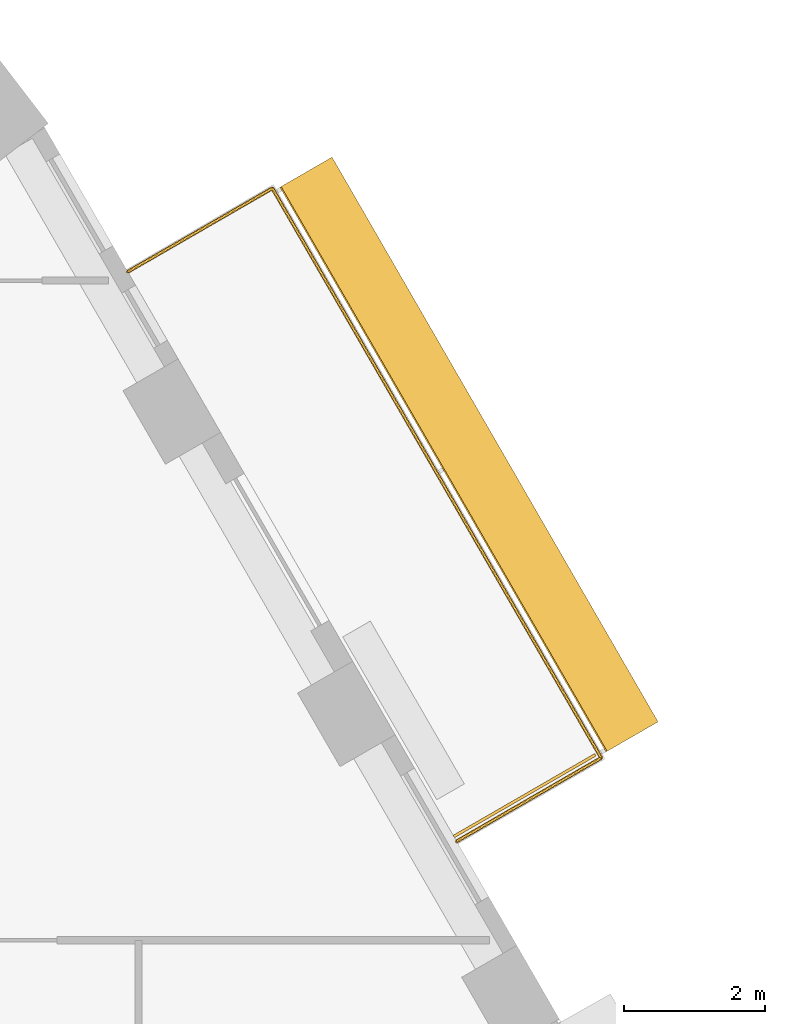
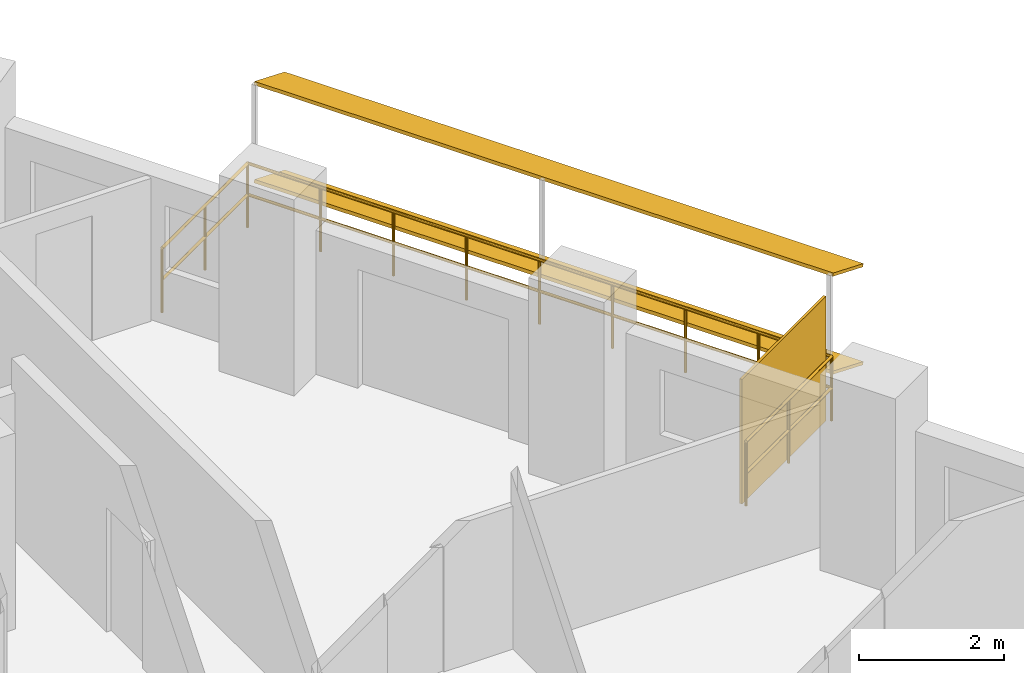
# One storey, part 18 of 18: 3 shading devices, 1 railing.
"""IFC4 building model written with IfcOpenShell, lengths in metres."""

from ifc_helpers import new_model, si_unit, direction, frame, origin, origin_2d, place, context, subcontext, project, spatial, rectangle, circle, extrude, material, layer, layer_set, material_profile, profile_set, type_object, element, save


model = new_model("IFC4")

# Units and contexts
model_context = context("Model", 3, precision=1e-05, world=origin(), true_north=direction((0.0, 1.0)))
body_context = subcontext(model_context, "Body", "Model", "MODEL_VIEW")
ifc_project = project(units=[si_unit("LENGTHUNIT", "METRE"), si_unit("AREAUNIT", "SQUARE_METRE"), si_unit("VOLUMEUNIT", "CUBIC_METRE"), si_unit("PLANEANGLEUNIT", "RADIAN"), si_unit("MASSUNIT", "GRAM", prefix="KILO")], contexts=[model_context])

# Site, building, storey
site_placement = place(None, origin())
site = spatial("IfcSite", under=ifc_project, at=site_placement, CompositionType="ELEMENT")
building_placement = place(site_placement, origin())
building = spatial("IfcBuilding", under=site, at=building_placement, Name="Nakaniwa Court", CompositionType="ELEMENT")
storey_placement = place(building_placement, frame((0.0, 0.0, 180.0)))
storey = spatial("IfcBuildingStorey", under=building, at=storey_placement, Name="L46", CompositionType="ELEMENT", Elevation=180.0)

# Railing
ifc_material_1 = material(Name="Black powder-coated steel flat bar balustrade S275", Category="steel")
railing_type = type_object("IfcRailingType", Name="Black metal balcony guard 1100", PredefinedType="GUARDRAIL", material=ifc_material_1)
railing_placement = place(storey_placement, frame((100.69921875, 89.4482421875, -0.050048828125)))
element("IfcRailing", 1, at=railing_placement, inside=storey, type_object=railing_type, Name="L46 balcony guard 03", PredefinedType="GUARDRAIL", context=body_context, shape_type="SweptSolid", body=[
    extrude(circle(Radius=0.02392578125, at=origin_2d()), frame((0.0, 0.0, 1.076171875), z_axis=(0.865980564943, 0.500077655111, 0.0), x_axis=(-0.500077655111, 0.865980564943, 0.0)), (0.0, 0.0, 1.0), 2.35986328125),
    extrude(circle(Radius=0.02392578125, at=origin_2d()), frame((0.0, 0.0, 0.550048828125), z_axis=(0.865980564943, 0.500077655111, 0.0), x_axis=(-0.500077655111, 0.865980564943, 0.0)), (0.0, 0.0, 1.0), 2.35986328125),
    extrude(circle(Radius=0.02392578125, at=origin_2d()), frame((2.043701171875, 1.18017578125, 1.076171875), z_axis=(-0.500024734623, 0.866011122772, 0.0), x_axis=(-0.866011122772, -0.500024734623, 0.0)), (0.0, 0.0, 1.0), 9.29833984375),
    extrude(circle(Radius=0.02392578125, at=origin_2d()), frame((2.043701171875, 1.18017578125, 0.550048828125), z_axis=(-0.500024734623, 0.866011122772, 0.0), x_axis=(-0.866011122772, -0.500024734623, 0.0)), (0.0, 0.0, 1.0), 9.29833984375),
    extrude(circle(Radius=0.02392578125, at=origin_2d()), frame((-2.605712890625, 9.232666015625, 1.076171875), z_axis=(-0.866025363618, -0.50000006957, 0.0), x_axis=(0.50000006957, -0.866025363618, 0.0)), (0.0, 0.0, 1.0), 2.35986328125),
    extrude(circle(Radius=0.02392578125, at=origin_2d()), frame((-2.605712890625, 9.232666015625, 0.550048828125), z_axis=(-0.866025363618, -0.50000006957, 0.0), x_axis=(0.50000006957, -0.866025363618, 0.0)), (0.0, 0.0, 1.0), 2.35986328125),
    extrude(circle(Radius=0.02099609375, at=origin_2d()), origin(), (0.0, 0.0, 1.0), 1.052001953125),
    extrude(circle(Radius=0.02099609375, at=origin_2d()), frame((1.02197265625, 0.590087890625, 0.0)), (0.0, 0.0, 1.0), 1.052001953125),
    extrude(circle(Radius=0.02099609375, at=origin_2d()), frame((2.043701171875, 1.18017578125, 0.0)), (0.0, 0.0, 1.0), 1.052001953125),
    extrude(circle(Radius=0.02099609375, at=origin_2d()), frame((1.46240234375, 2.186767578125, 0.0)), (0.0, 0.0, 1.0), 1.052001953125),
    extrude(circle(Radius=0.02099609375, at=origin_2d()), frame((0.88134765625, 3.193359375, 0.0)), (0.0, 0.0, 1.0), 1.052001953125),
    extrude(circle(Radius=0.02099609375, at=origin_2d()), frame((0.30029296875, 4.199951171875, 0.0)), (0.0, 0.0, 1.0), 1.052001953125),
    extrude(circle(Radius=0.02099609375, at=origin_2d()), frame((-0.281005859375, 5.20654296875, 0.0)), (0.0, 0.0, 1.0), 1.052001953125),
    extrude(circle(Radius=0.02099609375, at=origin_2d()), frame((-0.8623046875, 6.212890625, 0.0)), (0.0, 0.0, 1.0), 1.052001953125),
    extrude(circle(Radius=0.02099609375, at=origin_2d()), frame((-1.443359375, 7.219482421875, 0.0)), (0.0, 0.0, 1.0), 1.052001953125),
    extrude(circle(Radius=0.02099609375, at=origin_2d()), frame((-2.0244140625, 8.22607421875, 0.0)), (0.0, 0.0, 1.0), 1.052001953125),
    extrude(circle(Radius=0.02099609375, at=origin_2d()), frame((-2.605712890625, 9.232666015625, 0.0)), (0.0, 0.0, 1.0), 1.052001953125),
    extrude(circle(Radius=0.02099609375, at=origin_2d()), frame((-3.62744140625, 8.642578125, 0.0)), (0.0, 0.0, 1.0), 1.052001953125),
    extrude(circle(Radius=0.02099609375, at=origin_2d()), frame((-4.6494140625, 8.052734375, 0.0)), (0.0, 0.0, 1.0), 1.052001953125),
])

# Shading devices
ifc_material_2 = material(Name="Black powder-coated aluminium slat screen", Category="aluminium")
ifc_layer = layer(ifc_material_2, 0.0400390625)
ifc_layer_set = layer_set([ifc_layer], Name="Black powder-coated aluminium slat screen")
shading_device_type_1 = type_object("IfcShadingDeviceType", Name="Koshi screen black metal", PredefinedType="USERDEFINED", material=ifc_layer_set)
shading_device_placement = place(storey_placement, frame((101.659423828125, 90.09521484375, -0.050048828125), z_axis=(0.0, 0.0, 1.0), x_axis=(-0.500016626402, 0.866015804314, 0.0)))
element("IfcShadingDevice", 2, at=shading_device_placement, inside=storey, type_object=shading_device_type_1, Name="L46 balcony SCREEN 03 W", ObjectType="KOSHI SCREEN", PredefinedType="USERDEFINED", context=body_context, shape_type="SweptSolid", body=[
    extrude(rectangle(XDim=0.0400390625, YDim=2.31005859375, at=origin_2d()), origin(), (0.0, 0.0, 1.0), 2.10009765625),
])
ifc_material_3 = material(Name="Perforated charcoal ceramic louvre blade")
ifc_material_profile = material_profile(ifc_material_3, rectangle(XDim=0.89990234375, YDim=0.050048828125, at=origin_2d()), Name="Perforated ceramic louvre blade")
ifc_profile_set = profile_set([ifc_material_profile], Name="Perforated charcoal ceramic louvre blade")
shading_device_type_2 = type_object("IfcShadingDeviceType", Name="Perforated ceramic louvre blade", PredefinedType="JALOUSIE", material=ifc_profile_set)
for number, where, z_axis, x_axis, name in (
    (3, (103.177734375, 90.925537109375, 0.5), (-0.500012835235, 0.866017993231, 0.0), (-0.800096298733, -0.461951624467, 0.382683432365), "L46 perforated ceramic louvre blade 03 1"),
    (4, (103.177734375, 90.925537109375, 2.14990234375), (-0.500012835235, 0.866017993231, 0.0), (-0.800096298733, -0.461951624467, 0.382683432365), "L46 perforated ceramic louvre blade 03 2"),
):
    element("IfcShadingDevice", number, at=place(storey_placement, frame(where, z_axis=z_axis, x_axis=x_axis)), inside=storey, type_object=shading_device_type_2, Name=name, PredefinedType="JALOUSIE", context=body_context, shape_type="SweptSolid", body=[
        extrude(rectangle(XDim=0.89990234375, YDim=0.050048828125, at=origin_2d()), origin(), (0.0, 0.0, 1.0), 9.218505859375),
    ])

save(model, "model.ifc")
